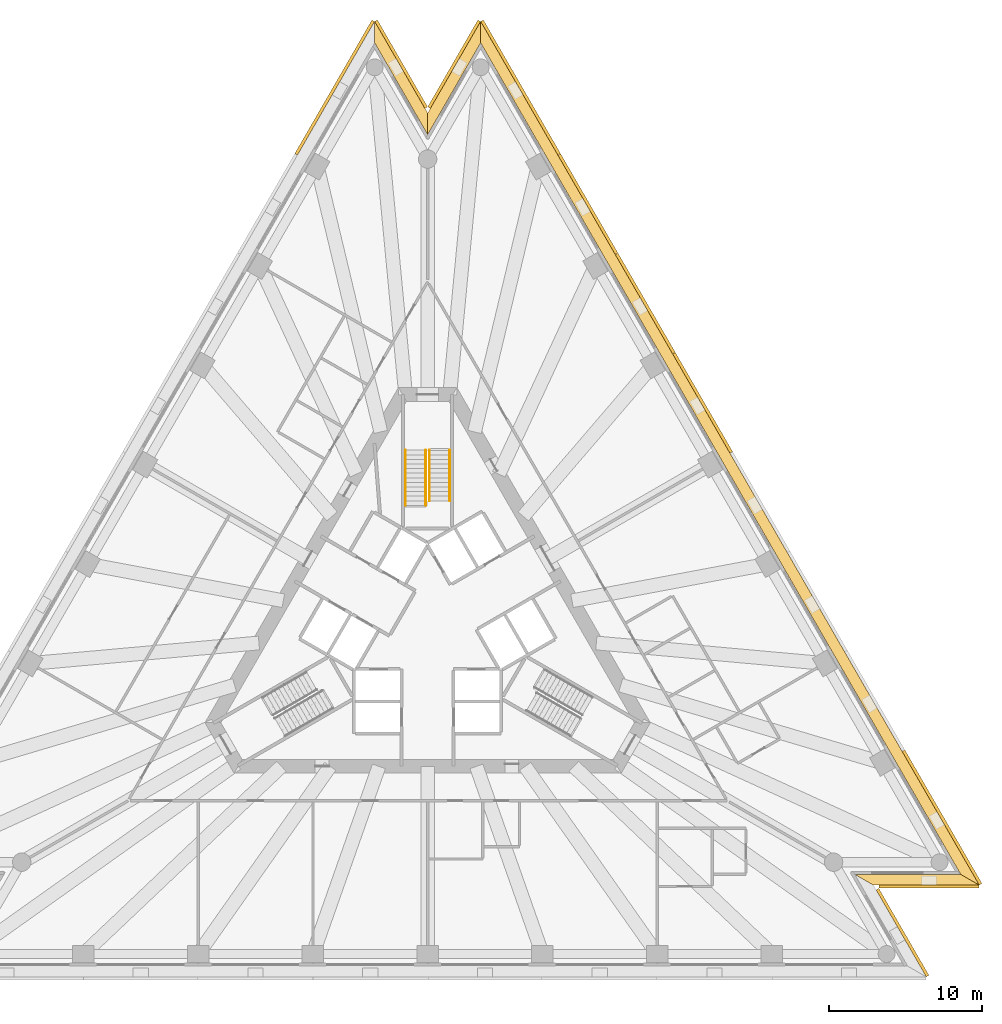
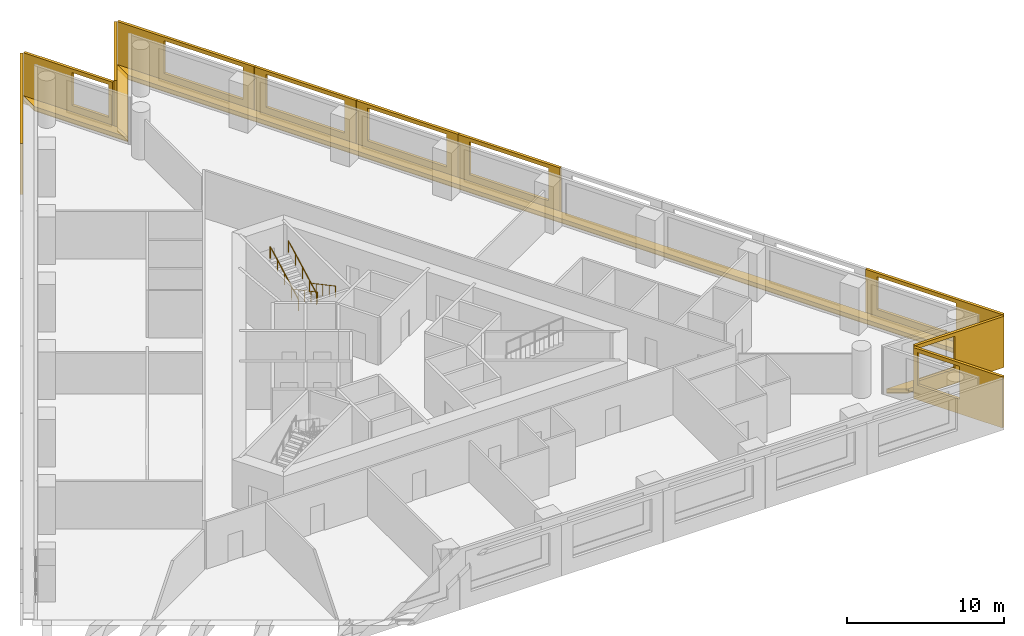
# One storey, part 9 of 9: 14 shading devices, 4 coverings, 4 railings, 1 element without a shape of its own.
"""IFC4 building model written with IfcOpenShell, lengths in metres."""

from ifc_helpers import new_model, si_unit, direction, frame, origin, origin_2d, place, context, subcontext, project, spatial, polyline, circle, outline, extrude, material, layer, layer_set, layer_usage, type_object, element, aggregate, save


model = new_model("IFC4")

# Units and contexts
model_context = context("Model", 3, precision=1e-05, world=origin(), true_north=direction((0.0, 1.0)))
body_context = subcontext(model_context, "Body", "Model", "MODEL_VIEW")
ifc_project = project(units=[si_unit("LENGTHUNIT", "METRE"), si_unit("AREAUNIT", "SQUARE_METRE"), si_unit("VOLUMEUNIT", "CUBIC_METRE"), si_unit("PLANEANGLEUNIT", "RADIAN"), si_unit("MASSUNIT", "GRAM", prefix="KILO")], contexts=[model_context])

# Site, building, storey
site_placement = place(None, origin())
site = spatial("IfcSite", under=ifc_project, at=site_placement, CompositionType="ELEMENT")
building_placement = place(site_placement, origin())
building = spatial("IfcBuilding", under=site, at=building_placement, Name="Triada Interchange Tower", CompositionType="ELEMENT")
storey_placement = place(building_placement, frame((0.0, 0.0, 55.300048828125)))
storey = spatial("IfcBuildingStorey", under=building, at=storey_placement, Name="L11", CompositionType="ELEMENT", Elevation=55.300048828125)

# Coverings
ifc_material_1 = material(Name="Mineral fire-stop board")
ifc_layer_1 = layer(ifc_material_1, 0.0400390625, Name="Mineral fire-stop board")
ifc_material_2 = material(Name="Intumescent sealant")
ifc_layer_2 = layer(ifc_material_2, 0.010009765625, Name="Intumescent seal")
ifc_layer_set_1 = layer_set([ifc_layer_1, ifc_layer_2], Name="Cavity fire stop")
ifc_layer_usage = layer_usage(ifc_layer_set_1, "AXIS3", "POSITIVE", 0.0)
covering_type = type_object("IfcCoveringType", Name="Cavity fire stop", PredefinedType="INSULATION", material=ifc_layer_set_1)
covering_1_placement = place(storey_placement, origin())
element("IfcCovering", 1, at=covering_1_placement, inside=storey, type_object=covering_type, material=ifc_layer_usage, Name="Cavity fire stop L11 SE-2", PredefinedType="INSULATION", context=body_context, shape_type="SweptSolid", body=[
    extrude(outline(polyline([(27.905029296875, -16.111083984375), (29.116943359375, -16.81103515625), (36.041015625, -16.81103515625), (34.8291015625, -16.111083984375), (27.905029296875, -16.111083984375)])), origin(), (0.0, 0.0, 1.0), 0.050048828125),
])
covering_2_placement = place(storey_placement, origin())
element("IfcCovering", 2, at=covering_2_placement, inside=storey, type_object=covering_type, material=ifc_layer_usage, Name="Cavity fire stop L11 NE", PredefinedType="INSULATION", context=body_context, shape_type="SweptSolid", body=[
    extrude(outline(polyline([(34.8291015625, -16.111083984375), (36.041015625, -16.81103515625), (3.4619140625, 39.617919921875), (3.4619140625, 38.218017578125), (34.8291015625, -16.111083984375)])), origin(), (0.0, 0.0, 1.0), 0.050048828125),
])
covering_3_placement = place(storey_placement, origin())
element("IfcCovering", 3, at=covering_3_placement, inside=storey, type_object=covering_type, material=ifc_layer_usage, Name="Cavity fire stop L11 N-1", PredefinedType="INSULATION", context=body_context, shape_type="SweptSolid", body=[
    extrude(outline(polyline([(3.4619140625, 38.218017578125), (3.4619140625, 39.617919921875), (0.0, 33.6220703125), (0.0, 32.221923828125), (3.4619140625, 38.218017578125)])), origin(), (0.0, 0.0, 1.0), 0.050048828125),
])
covering_4_placement = place(storey_placement, origin())
element("IfcCovering", 4, at=covering_4_placement, inside=storey, type_object=covering_type, material=ifc_layer_usage, Name="Cavity fire stop L11 N-2", PredefinedType="INSULATION", context=body_context, shape_type="SweptSolid", body=[
    extrude(outline(polyline([(0.0, 32.221923828125), (0.0, 33.6220703125), (-3.4619140625, 39.617919921875), (-3.4619140625, 38.218017578125), (0.0, 32.221923828125)])), origin(), (0.0, 0.0, 1.0), 0.050048828125),
])

# Shading devices
ifc_material_3 = material(Name="Aluminium louvre", Category="aluminium")
shading_device_type_1 = type_object("IfcShadingDeviceType", Name="Cavity louvre grille", PredefinedType="JALOUSIE", material=ifc_material_3)
shading_device_1_placement = place(storey_placement, frame((0.0, 0.0, 0.050048828125)))
element("IfcShadingDevice", 5, at=shading_device_1_placement, inside=storey, type_object=shading_device_type_1, Name="Cavity louvre grille L11 SE-2", PredefinedType="JALOUSIE", context=body_context, shape_type="SweptSolid", body=[
    extrude(outline(polyline([(27.905029296875, -16.111083984375), (29.116943359375, -16.81103515625), (36.041015625, -16.81103515625), (34.8291015625, -16.111083984375), (27.905029296875, -16.111083984375)])), origin(), (0.0, 0.0, 1.0), 0.2998046875),
])
shading_device_2_placement = place(storey_placement, frame((0.0, 0.0, 0.050048828125)))
element("IfcShadingDevice", 6, at=shading_device_2_placement, inside=storey, type_object=shading_device_type_1, Name="Cavity louvre grille L11 NE", PredefinedType="JALOUSIE", context=body_context, shape_type="SweptSolid", body=[
    extrude(outline(polyline([(34.8291015625, -16.111083984375), (36.041015625, -16.81103515625), (3.4619140625, 39.617919921875), (3.4619140625, 38.218017578125), (34.8291015625, -16.111083984375)])), origin(), (0.0, 0.0, 1.0), 0.2998046875),
])
shading_device_3_placement = place(storey_placement, frame((0.0, 0.0, 0.050048828125)))
element("IfcShadingDevice", 7, at=shading_device_3_placement, inside=storey, type_object=shading_device_type_1, Name="Cavity louvre grille L11 N-1", PredefinedType="JALOUSIE", context=body_context, shape_type="SweptSolid", body=[
    extrude(outline(polyline([(3.4619140625, 38.218017578125), (3.4619140625, 39.617919921875), (0.0, 33.6220703125), (0.0, 32.221923828125), (3.4619140625, 38.218017578125)])), origin(), (0.0, 0.0, 1.0), 0.2998046875),
])
shading_device_4_placement = place(storey_placement, frame((0.0, 0.0, 0.050048828125)))
element("IfcShadingDevice", 8, at=shading_device_4_placement, inside=storey, type_object=shading_device_type_1, Name="Cavity louvre grille L11 N-2", PredefinedType="JALOUSIE", context=body_context, shape_type="SweptSolid", body=[
    extrude(outline(polyline([(0.0, 32.221923828125), (0.0, 33.6220703125), (-3.4619140625, 39.617919921875), (-3.4619140625, 38.218017578125), (0.0, 32.221923828125)])), origin(), (0.0, 0.0, 1.0), 0.2998046875),
])
ifc_material_4 = material(Name="Concrete C50/60 precast", Category="concrete")
ifc_layer_3 = layer(ifc_material_4, 0.02001953125, Name="Exposed aggregate face")
ifc_layer_4 = layer(ifc_material_4, 0.179931640625, Name="Precast concrete screen")
ifc_layer_set_2 = layer_set([ifc_layer_3, ifc_layer_4], Name="Outer skin screen panel 3980")
shading_device_type_2 = type_object("IfcShadingDeviceType", Name="Outer skin screen panel 3980", PredefinedType="SHUTTER", material=ifc_layer_set_2)
shading_device_5_placement = place(storey_placement, frame((-3.467041015625, 39.60888671875, -0.2900390625), z_axis=(0.0, 0.0, 1.0), x_axis=(-0.500051848164, -0.865995467164, 0.0)))
element("IfcShadingDevice", 9, at=shading_device_5_placement, inside=storey, type_object=shading_device_type_2, Name="Outer skin screen panel L11 01", PredefinedType="SHUTTER", context=body_context, shape_type="SweptSolid", body=[
    extrude(outline(polyline([(0.0, 0.0), (10.07275390625, 0.0), (10.07275390625, 3.97998046875), (0.0, 3.97998046875), (0.0, 0.0)]), holes=[polyline([(3.435546875, 1.139892578125), (3.435546875, 3.68994140625), (9.235595703125, 3.68994140625), (9.235595703125, 1.139892578125), (3.435546875, 1.139892578125)])]), frame((0.0, 0.0, 0.0), z_axis=(0.0, -1.0, 0.0), x_axis=(1.0, 0.0, 0.0)), (0.0, 0.0, 1.0), 0.199951171875),
])
shading_device_6_placement = place(storey_placement, frame((32.573974609375, -22.798095703125, -0.2900390625), z_axis=(0.0, 0.0, 1.0), x_axis=(-0.499987845338, 0.866032421168, 0.0)))
element("IfcShadingDevice", 10, at=shading_device_6_placement, inside=storey, type_object=shading_device_type_2, Name="Outer skin screen panel L11 19", PredefinedType="SHUTTER", context=body_context, shape_type="SweptSolid", body=[
    extrude(outline(polyline([(0.0, 0.0), (6.556396484375, 0.0), (6.556396484375, 3.97998046875), (0.0, 3.97998046875), (0.0, 0.0)]), holes=[polyline([(3.17529296875, 1.139892578125), (3.17529296875, 3.68994140625), (6.257080078125, 3.68994140625), (6.257080078125, 1.139892578125), (3.17529296875, 1.139892578125)])]), frame((0.0, 0.0, 0.0), z_axis=(0.0, -1.0, 0.0), x_axis=(1.0, 0.0, 0.0)), (0.0, 0.0, 1.0), 0.199951171875),
])
shading_device_7_placement = place(storey_placement, frame((29.47412109375, -16.81103515625, -0.2900390625), z_axis=(0.0, 0.0, 1.0), x_axis=(1.0, 0.0, 0.0)))
element("IfcShadingDevice", 11, at=shading_device_7_placement, inside=storey, type_object=shading_device_type_2, Name="Outer skin screen panel L11 20", PredefinedType="SHUTTER", context=body_context, shape_type="SweptSolid", body=[
    extrude(outline(polyline([(0.0, 0.0), (6.556884765625, 0.0), (6.556884765625, 3.97998046875), (0.0, 3.97998046875), (0.0, 0.0)]), holes=[polyline([(0.300048828125, 1.139892578125), (0.300048828125, 3.68994140625), (2.9580078125, 3.68994140625), (2.9580078125, 1.139892578125), (0.300048828125, 1.139892578125)])]), frame((0.0, 0.0, 0.0), z_axis=(0.0, -1.0, 0.0), x_axis=(1.0, 0.0, 0.0)), (0.0, 0.0, 1.0), 0.199951171875),
])
shading_device_8_placement = place(storey_placement, frame((36.035888671875, -16.802001953125, -0.2900390625), z_axis=(0.0, 0.0, 1.0), x_axis=(-0.499926661183, 0.86606774183, 0.0)))
element("IfcShadingDevice", 12, at=shading_device_8_placement, inside=storey, type_object=shading_device_type_2, Name="Outer skin screen panel L11 21", PredefinedType="SHUTTER", context=body_context, shape_type="SweptSolid", body=[
    extrude(outline(polyline([(0.0, 0.0), (10.0732421875, 0.0), (10.0732421875, 3.97998046875), (0.0, 3.97998046875), (0.0, 0.0)]), holes=[polyline([(3.435302734375, 1.139892578125), (3.435302734375, 3.68994140625), (9.2353515625, 3.68994140625), (9.2353515625, 1.139892578125), (3.435302734375, 1.139892578125)])]), frame((0.0, 0.0, 0.0), z_axis=(0.0, -1.0, 0.0), x_axis=(1.0, 0.0, 0.0)), (0.0, 0.0, 1.0), 0.199951171875),
])
shading_device_9_placement = place(storey_placement, frame((19.7470703125, 11.412109375, -0.2900390625), z_axis=(0.0, 0.0, 1.0), x_axis=(-0.50003436236, 0.866005563758, 0.0)))
element("IfcShadingDevice", 13, at=shading_device_9_placement, inside=storey, type_object=shading_device_type_2, Name="Outer skin screen panel L11 25", PredefinedType="SHUTTER", context=body_context, shape_type="SweptSolid", body=[
    extrude(outline(polyline([(0.0, 0.0), (7.4755859375, 0.0), (7.4755859375, 3.97998046875), (0.0, 3.97998046875), (0.0, 0.0)]), holes=[polyline([(0.838134765625, 1.139892578125), (0.838134765625, 3.68994140625), (6.63818359375, 3.68994140625), (6.63818359375, 1.139892578125), (0.838134765625, 1.139892578125)])]), frame((0.0, 0.0, 0.0), z_axis=(0.0, -1.0, 0.0), x_axis=(1.0, 0.0, 0.0)), (0.0, 0.0, 1.0), 0.199951171875),
])
shading_device_10_placement = place(storey_placement, frame((15.9990234375, 17.903076171875, -0.2900390625), z_axis=(0.0, 0.0, 1.0), x_axis=(-0.50003436236, 0.866005563758, 0.0)))
element("IfcShadingDevice", 14, at=shading_device_10_placement, inside=storey, type_object=shading_device_type_2, Name="Outer skin screen panel L11 26", PredefinedType="SHUTTER", context=body_context, shape_type="SweptSolid", body=[
    extrude(outline(polyline([(0.0, 0.0), (7.4755859375, 0.0), (7.4755859375, 3.97998046875), (0.0, 3.97998046875), (0.0, 0.0)]), holes=[polyline([(0.837890625, 1.139892578125), (0.837890625, 3.68994140625), (6.6376953125, 3.68994140625), (6.6376953125, 1.139892578125), (0.837890625, 1.139892578125)])]), frame((0.0, 0.0, 0.0), z_axis=(0.0, -1.0, 0.0), x_axis=(1.0, 0.0, 0.0)), (0.0, 0.0, 1.0), 0.199951171875),
])
shading_device_11_placement = place(storey_placement, frame((12.2509765625, 24.39404296875, -0.2900390625), z_axis=(0.0, 0.0, 1.0), x_axis=(-0.499936381736, 0.866062130691, 0.0)))
element("IfcShadingDevice", 15, at=shading_device_11_placement, inside=storey, type_object=shading_device_type_2, Name="Outer skin screen panel L11 27", PredefinedType="SHUTTER", context=body_context, shape_type="SweptSolid", body=[
    extrude(outline(polyline([(0.0, 0.0), (7.47509765625, 0.0), (7.47509765625, 3.97998046875), (0.0, 3.97998046875), (0.0, 0.0)]), holes=[polyline([(0.83740234375, 1.139892578125), (0.83740234375, 3.68994140625), (6.637451171875, 3.68994140625), (6.637451171875, 1.139892578125), (0.83740234375, 1.139892578125)])]), frame((0.0, 0.0, 0.0), z_axis=(0.0, -1.0, 0.0), x_axis=(1.0, 0.0, 0.0)), (0.0, 0.0, 1.0), 0.199951171875),
])
shading_device_12_placement = place(storey_placement, frame((8.50390625, 30.885986328125, -0.2900390625), z_axis=(0.0, 0.0, 1.0), x_axis=(-0.500051848164, 0.865995467164, 0.0)))
element("IfcShadingDevice", 16, at=shading_device_12_placement, inside=storey, type_object=shading_device_type_2, Name="Outer skin screen panel L11 28", PredefinedType="SHUTTER", context=body_context, shape_type="SweptSolid", body=[
    extrude(outline(polyline([(0.0, 0.0), (10.07275390625, 0.0), (10.07275390625, 3.97998046875), (0.0, 3.97998046875), (0.0, 0.0)]), holes=[polyline([(0.837158203125, 1.139892578125), (0.837158203125, 3.68994140625), (6.63720703125, 3.68994140625), (6.63720703125, 1.139892578125), (0.837158203125, 1.139892578125)])]), frame((0.0, 0.0, 0.0), z_axis=(0.0, -1.0, 0.0), x_axis=(1.0, 0.0, 0.0)), (0.0, 0.0, 1.0), 0.199951171875),
])
shading_device_13_placement = place(storey_placement, frame((3.45703125, 39.60888671875, -0.2900390625), z_axis=(0.0, 0.0, 1.0), x_axis=(-0.500099547154, -0.865967922579, 0.0)))
element("IfcShadingDevice", 17, at=shading_device_13_placement, inside=storey, type_object=shading_device_type_2, Name="Outer skin screen panel L11 29", PredefinedType="SHUTTER", context=body_context, shape_type="SweptSolid", body=[
    extrude(outline(polyline([(0.0, 0.0), (6.556884765625, 0.0), (6.556884765625, 3.97998046875), (0.0, 3.97998046875), (0.0, 0.0)]), holes=[polyline([(3.175537109375, 1.139892578125), (3.175537109375, 3.68994140625), (6.25732421875, 3.68994140625), (6.25732421875, 1.139892578125), (3.175537109375, 1.139892578125)])]), frame((0.0, 0.0, 0.0), z_axis=(0.0, -1.0, 0.0), x_axis=(1.0, 0.0, 0.0)), (0.0, 0.0, 1.0), 0.199951171875),
])
shading_device_14_placement = place(storey_placement, frame((-0.177978515625, 33.930908203125, -0.2900390625), z_axis=(0.0, 0.0, 1.0), x_axis=(-0.500099547154, 0.865967922579, 0.0)))
element("IfcShadingDevice", 18, at=shading_device_14_placement, inside=storey, type_object=shading_device_type_2, Name="Outer skin screen panel L11 30", PredefinedType="SHUTTER", context=body_context, shape_type="SweptSolid", body=[
    extrude(outline(polyline([(0.0, 0.0), (6.556884765625, 0.0), (6.556884765625, 3.97998046875), (0.0, 3.97998046875), (0.0, 0.0)]), holes=[polyline([(0.300048828125, 1.139892578125), (0.300048828125, 3.68994140625), (2.9580078125, 3.68994140625), (2.9580078125, 1.139892578125), (0.300048828125, 1.139892578125)])]), frame((0.0, 0.0, 0.0), z_axis=(0.0, -1.0, 0.0), x_axis=(1.0, 0.0, 0.0)), (0.0, 0.0, 1.0), 0.199951171875),
])

# Stair, railings
ifc_material_5 = material(Name="Concrete C35/45", Category="concrete")
stair_type = type_object("IfcStairType", Name="HALF TURN STAIR 1400", PredefinedType="HALF_TURN_STAIR", material=ifc_material_5)
stair_placement = place(storey_placement, origin())
stair = element("IfcStair", 19, at=stair_placement, inside=storey, type_object=stair_type, Name="Exit stair S09-1", PredefinedType="HALF_TURN_STAIR")
ifc_material_6 = material(Name="Stainless steel 1.4301", Category="steel")
railing_type = type_object("IfcRailingType", Name="STAIR HANDRAIL 900", PredefinedType="HANDRAIL", material=ifc_material_6)
railing_1_placement = place(storey_placement, frame((1.449951171875, 11.60009765625, 0.159912109375)))
railing_1 = element("IfcRailing", 20, at=railing_1_placement, type_object=railing_type, Name="Handrail S09-1 1W", PredefinedType="HANDRAIL", context=body_context, shape_type="SweptSolid", body=[
    extrude(circle(Radius=0.02392578125, at=origin_2d()), frame((0.0, 0.0, 0.8759765625), z_axis=(0.0, -0.882354748157, 0.47058484719), x_axis=(1.0, 0.0, 0.0)), (0.0, 0.0, 1.0), 3.739990234375),
    extrude(circle(Radius=0.02099609375, at=origin_2d()), origin(), (0.0, 0.0, 1.0), 0.851806640625),
    extrude(circle(Radius=0.02099609375, at=origin_2d()), frame((0.0, -0.824951171875, 0.43994140625)), (0.0, 0.0, 1.0), 0.851806640625),
    extrude(circle(Radius=0.02099609375, at=origin_2d()), frame((0.0, -1.64990234375, 0.8798828125)), (0.0, 0.0, 1.0), 0.851806640625),
    extrude(circle(Radius=0.02099609375, at=origin_2d()), frame((0.0, -2.47509765625, 1.320068359375)), (0.0, 0.0, 1.0), 0.851806640625),
    extrude(circle(Radius=0.02099609375, at=origin_2d()), frame((0.0, -3.300048828125, 1.760009765625)), (0.0, 0.0, 1.0), 0.851806640625),
])
railing_2_placement = place(storey_placement, frame((0.1201171875, 11.60009765625, 0.159912109375)))
railing_2 = element("IfcRailing", 21, at=railing_2_placement, type_object=railing_type, Name="Handrail S09-1 1C", PredefinedType="HANDRAIL", context=body_context, shape_type="SweptSolid", body=[
    extrude(circle(Radius=0.02392578125, at=origin_2d()), frame((0.0, 0.0, 0.8759765625), z_axis=(0.0, -0.882354748157, 0.47058484719), x_axis=(1.0, 0.0, 0.0)), (0.0, 0.0, 1.0), 3.739990234375),
    extrude(circle(Radius=0.02099609375, at=origin_2d()), origin(), (0.0, 0.0, 1.0), 0.851806640625),
    extrude(circle(Radius=0.02099609375, at=origin_2d()), frame((0.0, -0.824951171875, 0.43994140625)), (0.0, 0.0, 1.0), 0.851806640625),
    extrude(circle(Radius=0.02099609375, at=origin_2d()), frame((0.0, -1.64990234375, 0.8798828125)), (0.0, 0.0, 1.0), 0.851806640625),
    extrude(circle(Radius=0.02099609375, at=origin_2d()), frame((0.0, -2.47509765625, 1.320068359375)), (0.0, 0.0, 1.0), 0.851806640625),
    extrude(circle(Radius=0.02099609375, at=origin_2d()), frame((0.0, -3.300048828125, 1.760009765625)), (0.0, 0.0, 1.0), 0.851806640625),
])
railing_3_placement = place(storey_placement, frame((-1.449951171875, 8.0, 2.079833984375)))
railing_3 = element("IfcRailing", 22, at=railing_3_placement, type_object=railing_type, Name="Handrail S09-1 2W", PredefinedType="HANDRAIL", context=body_context, shape_type="SweptSolid", body=[
    extrude(circle(Radius=0.02392578125, at=origin_2d()), frame((0.0, 0.0, 0.8759765625), z_axis=(0.0, 0.882341346394, 0.470609974867), x_axis=(-1.0, 0.0, 0.0)), (0.0, 0.0, 1.0), 4.080078125),
    extrude(circle(Radius=0.02099609375, at=origin_2d()), origin(), (0.0, 0.0, 1.0), 0.851806640625),
    extrude(circle(Radius=0.02099609375, at=origin_2d()), frame((0.0, 0.89990234375, 0.47998046875)), (0.0, 0.0, 1.0), 0.851806640625),
    extrude(circle(Radius=0.02099609375, at=origin_2d()), frame((0.0, 1.800048828125, 0.9599609375)), (0.0, 0.0, 1.0), 0.851806640625),
    extrude(circle(Radius=0.02099609375, at=origin_2d()), frame((0.0, 2.7001953125, 1.440185546875)), (0.0, 0.0, 1.0), 0.851806640625),
    extrude(circle(Radius=0.02099609375, at=origin_2d()), frame((0.0, 3.60009765625, 1.920166015625)), (0.0, 0.0, 1.0), 0.851806640625),
])
railing_4_placement = place(storey_placement, frame((-0.1201171875, 8.0, 2.079833984375)))
railing_4 = element("IfcRailing", 23, at=railing_4_placement, type_object=railing_type, Name="Handrail S09-1 2C", PredefinedType="HANDRAIL", context=body_context, shape_type="SweptSolid", body=[
    extrude(circle(Radius=0.02392578125, at=origin_2d()), frame((0.0, 0.0, 0.8759765625), z_axis=(0.0, 0.882341346394, 0.470609974867), x_axis=(-1.0, 0.0, 0.0)), (0.0, 0.0, 1.0), 4.080078125),
    extrude(circle(Radius=0.02099609375, at=origin_2d()), origin(), (0.0, 0.0, 1.0), 0.851806640625),
    extrude(circle(Radius=0.02099609375, at=origin_2d()), frame((0.0, 0.89990234375, 0.47998046875)), (0.0, 0.0, 1.0), 0.851806640625),
    extrude(circle(Radius=0.02099609375, at=origin_2d()), frame((0.0, 1.800048828125, 0.9599609375)), (0.0, 0.0, 1.0), 0.851806640625),
    extrude(circle(Radius=0.02099609375, at=origin_2d()), frame((0.0, 2.7001953125, 1.440185546875)), (0.0, 0.0, 1.0), 0.851806640625),
    extrude(circle(Radius=0.02099609375, at=origin_2d()), frame((0.0, 3.60009765625, 1.920166015625)), (0.0, 0.0, 1.0), 0.851806640625),
])
aggregate(stair, [railing_1, railing_2, railing_3, railing_4])

save(model, "model.ifc")
